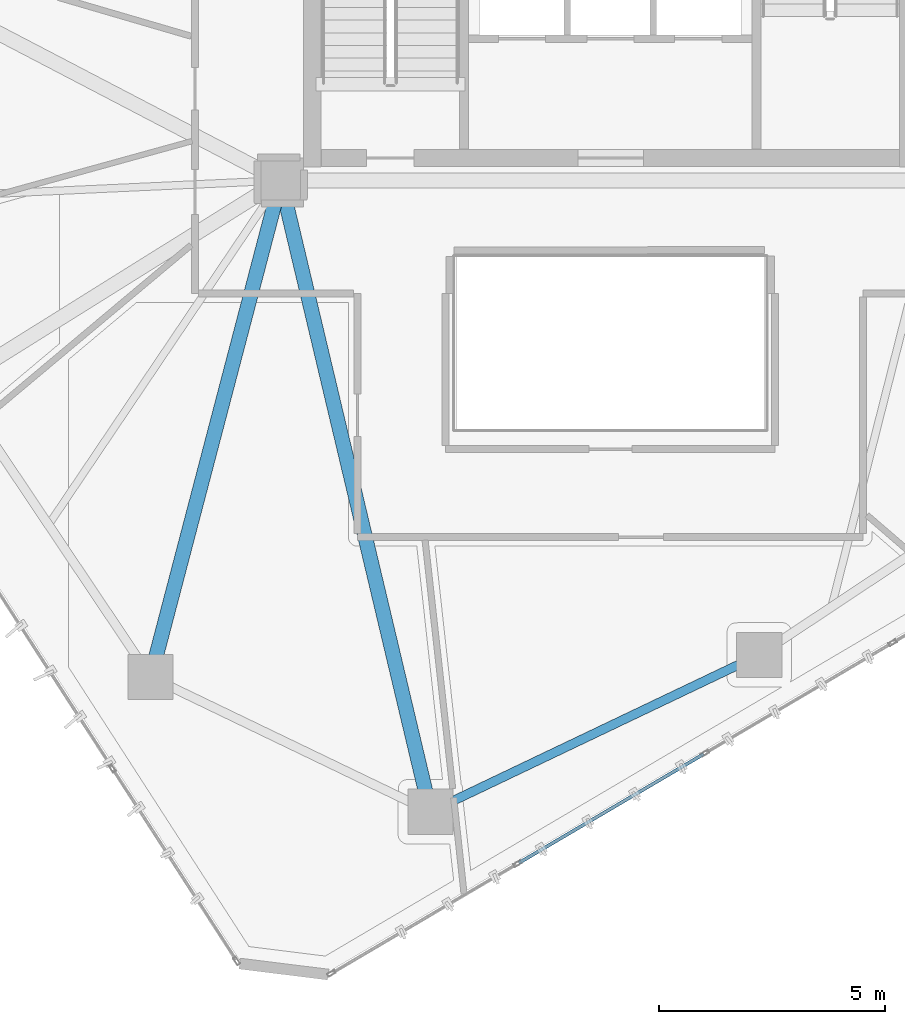
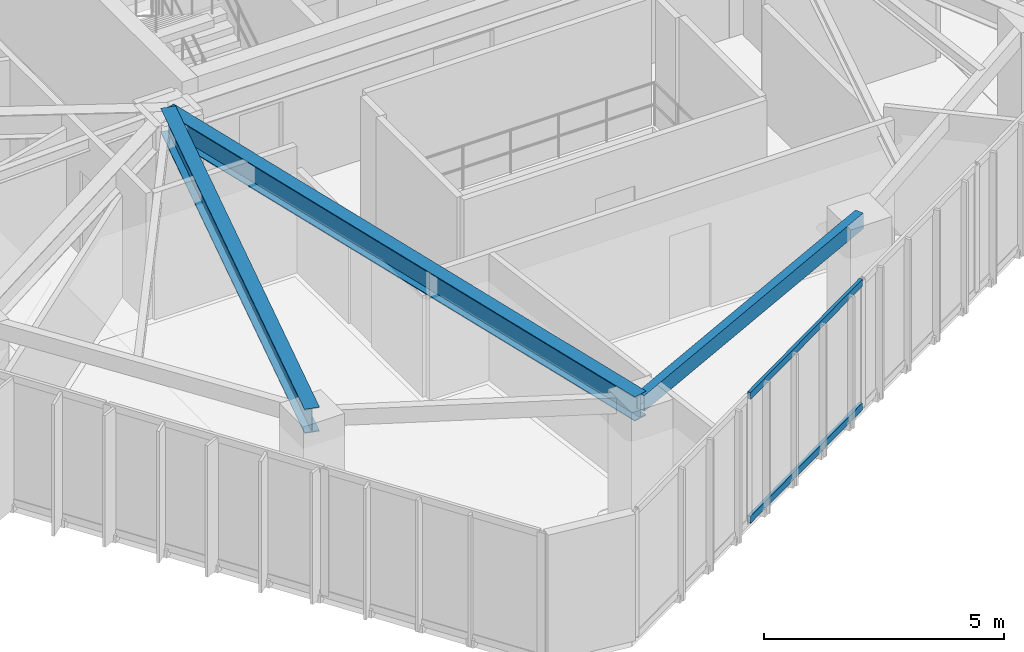
# One storey, part 4 of 19: 3 beams, 2 members, 1 element without a shape of its own.
"""IFC4 building model written with IfcOpenShell, lengths in metres."""

from ifc_helpers import new_model, si_unit, direction, frame, origin, origin_2d, place, context, subcontext, project, spatial, hollow_rectangle, i_section, extrude, source, transform, mapped, material, layer, layer_set, material_profile, profile_set, type_object, type_shapes, element, aggregate, save


model = new_model("IFC4")

# Units and contexts
model_context = context("Model", 3, precision=1e-05, world=origin(), true_north=direction((0.0, 1.0)))
body_context = subcontext(model_context, "Body", "Model", "MODEL_VIEW")
ifc_project = project(units=[si_unit("LENGTHUNIT", "METRE"), si_unit("AREAUNIT", "SQUARE_METRE"), si_unit("VOLUMEUNIT", "CUBIC_METRE"), si_unit("PLANEANGLEUNIT", "RADIAN"), si_unit("MASSUNIT", "GRAM", prefix="KILO")], contexts=[model_context])

# Site, building, storey
site_placement = place(None, origin())
site = spatial("IfcSite", under=ifc_project, at=site_placement, CompositionType="ELEMENT")
building_placement = place(site_placement, origin())
building = spatial("IfcBuilding", under=site, at=building_placement, Name="Talar Marvaseh", CompositionType="ELEMENT")
storey_placement = place(building_placement, frame((0.0, 0.0, 181.0)))
storey = spatial("IfcBuildingStorey", under=building, at=storey_placement, Name="L47", CompositionType="ELEMENT", Elevation=181.0)

# Beams
ifc_material_1 = material(Name="Steel S355", Category="steel")
ifc_material_profile_1 = material_profile(ifc_material_1, hollow_rectangle(XDim=0.199951171875, YDim=0.39990234375, WallThickness=0.013916015625, at=origin_2d()), Name="RHS400x200x14")
ifc_profile_set_1 = profile_set([ifc_material_profile_1], Name="Steel S355")
beam_type_1 = type_object("IfcBeamType", Name="Zone 3 Perimeter Spandrel Beam RHS400x200x14", PredefinedType="SPANDREL", material=ifc_profile_set_1)
beam_1_placement = place(storey_placement, frame((29.299072265625, 14.993896484375, 3.030029296875), z_axis=(-0.902562267408, -0.430559349511, 0.0), x_axis=(0.430559349511, -0.902562267408, 0.0)))
element("IfcBeam", 1, at=beam_1_placement, inside=storey, type_object=beam_type_1, Name="L47 Zone 3 Perimeter Spandrel Beam RHS400x200x14", PredefinedType="SPANDREL", context=body_context, shape_type="SweptSolid", body=[
    extrude(hollow_rectangle(XDim=0.199951171875, YDim=0.39990234375, WallThickness=0.013916015625, at=origin_2d()), origin(), (0.0, 0.0, 1.0), 8.070556640625),
])
ifc_material_profile_2 = material_profile(ifc_material_1, i_section(OverallWidth=0.324951171875, OverallDepth=0.615966796875, WebThickness=0.013916015625, FlangeThickness=0.021484375, at=origin_2d()), Name="W610x174")
ifc_profile_set_2 = profile_set([ifc_material_profile_2], Name="Steel S355")
beam_type_2 = type_object("IfcBeamType", Name="Zone 3 Radial Floor Girder W610x174", PredefinedType="BEAM", material=ifc_profile_set_2)
beam_2_placement = place(storey_placement, frame((22.014892578125, 11.51904296875, 2.922119140625), z_axis=(-0.230707708791, 0.973023099985, 0.0), x_axis=(-0.973023099985, -0.230707708791, 0.0)))
element("IfcBeam", 2, at=beam_2_placement, inside=storey, type_object=beam_type_2, Name="L47 Zone 3 Radial Floor Girder W610x174", PredefinedType="BEAM", context=body_context, shape_type="SweptSolid", body=[
    extrude(i_section(OverallWidth=0.324951171875, OverallDepth=0.615966796875, WebThickness=0.013916015625, FlangeThickness=0.021484375, at=origin_2d()), origin(), (0.0, 0.0, 1.0), 14.36865234375),
])
beam_3_placement = place(storey_placement, frame((15.819091796875, 14.5009765625, 2.922119140625), z_axis=(0.253372787776, 0.967368714821, 0.0), x_axis=(-0.967368714821, 0.253372787776, 0.0)))
element("IfcBeam", 3, at=beam_3_placement, inside=storey, type_object=beam_type_2, Name="L47 Zone 3 Radial Floor Girder W610x174", PredefinedType="BEAM", context=body_context, shape_type="SweptSolid", body=[
    extrude(i_section(OverallWidth=0.324951171875, OverallDepth=0.615966796875, WebThickness=0.013916015625, FlangeThickness=0.021484375, at=origin_2d()), origin(), (0.0, 0.0, 1.0), 11.3701171875),
])

# Curtain wall, members
ifc_material_2 = material(Name="Architectural Aluminium", Category="aluminium")
ifc_layer = layer(ifc_material_2, 0.18994140625)
ifc_layer_set = layer_set([ifc_layer], Name="Architectural Aluminium")
curtain_wall_type = type_object("IfcCurtainWallType", Name="Unitised Solar Atelier Curtain Wall Z3", PredefinedType="NOTDEFINED", material=ifc_layer_set)
curtain_wall_placement = place(storey_placement, origin())
curtain_wall = element("IfcCurtainWall", 4, at=curtain_wall_placement, inside=storey, type_object=curtain_wall_type, Name="L47 Unitised Solar Atelier Curtain Wall Z3", PredefinedType="NOTDEFINED")
ifc_material_profile_3 = material_profile(ifc_material_2, hollow_rectangle(XDim=0.074951171875, YDim=0.179931640625, WallThickness=0.0048828125, at=origin_2d()), Name="RHS180x75x5")
ifc_profile_set_3 = profile_set([ifc_material_profile_3], Name="Architectural Aluminium")
member_type = type_object("IfcMemberType", Name="Unitised Curtain Wall Transom RHS180x75x5", PredefinedType="USERDEFINED", material=ifc_profile_set_3)
shared_shape = source(origin(), body_context, "Body", "SweptSolid", [
    extrude(hollow_rectangle(XDim=0.074951171875, YDim=0.179931640625, WallThickness=0.0048828125, at=origin_2d()), origin(), (0.0, 0.0, 1.0), 4.7470703125),
])
type_shapes(member_type, [shared_shape])
member_1_placement = place(storey_placement, frame((28.066650390625, 12.796142578125, 0.03759765625), z_axis=(-0.861554529162, -0.507665040435, 0.0), x_axis=(0.507665040435, -0.861554529162, 0.0)))
member_1 = element("IfcMember", 5, at=member_1_placement, type_object=member_type, Name="CW-Z3 transom 3.1", ObjectType="TRANSOM", PredefinedType="USERDEFINED", context=body_context, shape_type="MappedRepresentation", body=[
    mapped(shared_shape, transform((0.0, 0.0, 0.0), x_axis=(1.0, 0.0, 0.0), y_axis=(0.0, 1.0, 0.0), z_axis=(0.0, 0.0, 1.0), scale=1.0)),
])
member_2_placement = place(storey_placement, frame((28.066650390625, 12.796142578125, 3.1923828125), z_axis=(-0.861554529162, -0.507665040435, 0.0), x_axis=(0.507665040435, -0.861554529162, 0.0)))
member_2 = element("IfcMember", 6, at=member_2_placement, type_object=member_type, Name="CW-Z3 transom 3.2", ObjectType="TRANSOM", PredefinedType="USERDEFINED", context=body_context, shape_type="MappedRepresentation", body=[
    mapped(shared_shape, transform((0.0, 0.0, 0.0), x_axis=(1.0, 0.0, 0.0), y_axis=(0.0, 1.0, 0.0), z_axis=(0.0, 0.0, 1.0), scale=1.0)),
])
aggregate(curtain_wall, [member_1, member_2])

save(model, "model.ifc")
